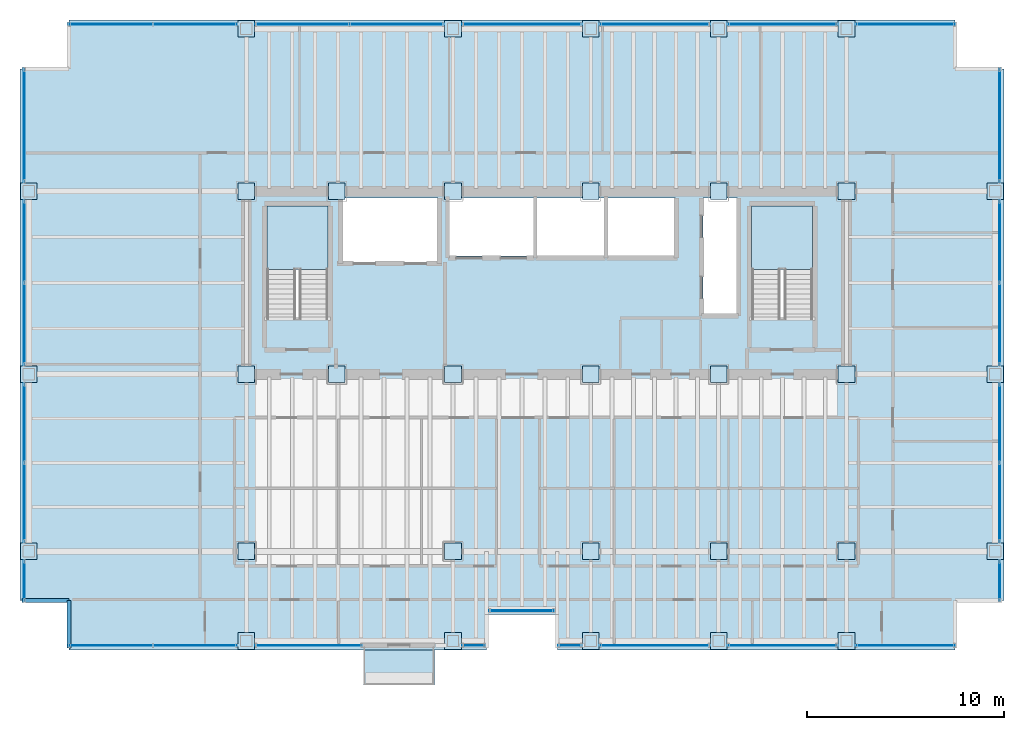
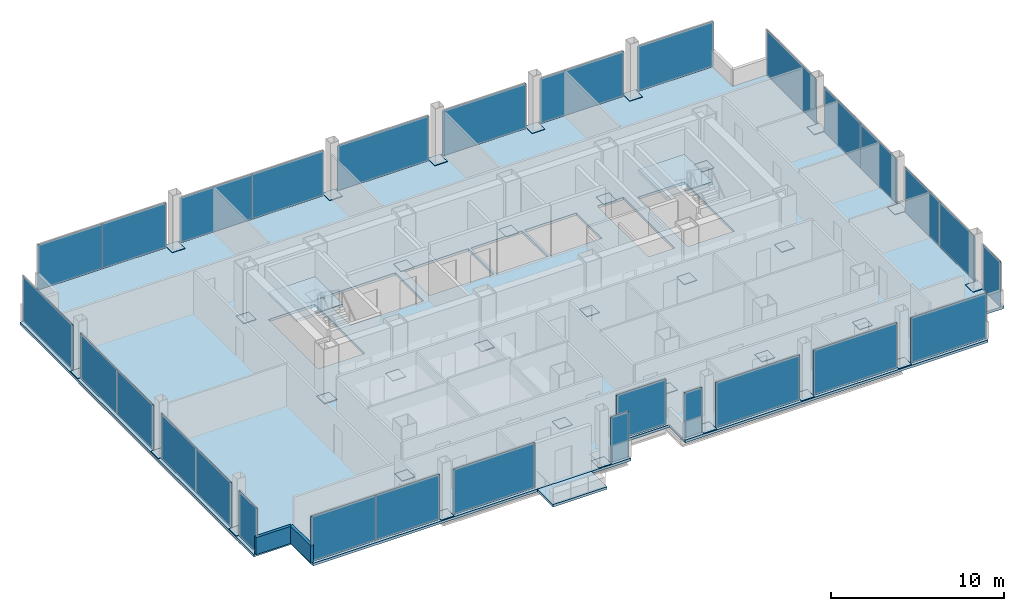
# One storey, part 17 of 21: 62 plates, 4 slabs, 2 walls, 7 openings, 24 elements without a shape of their own.
"""IFC4 building model written with IfcOpenShell, lengths in metres."""

from ifc_helpers import new_model, si_unit, direction, frame, frame_2d, origin, origin_2d, place, context, subcontext, project, spatial, polyline, rectangle, outline, extrude, material, layer, layer_set, type_object, element, aggregate, save


model = new_model("IFC4")

# Units and contexts
model_context = context("Model", 3, precision=1e-05, world=origin(), true_north=direction((0.0, 1.0)))
body_context = subcontext(model_context, "Body", "Model", "MODEL_VIEW")
ifc_project = project(units=[si_unit("LENGTHUNIT", "METRE"), si_unit("AREAUNIT", "SQUARE_METRE"), si_unit("VOLUMEUNIT", "CUBIC_METRE"), si_unit("PLANEANGLEUNIT", "RADIAN"), si_unit("MASSUNIT", "GRAM", prefix="KILO")], contexts=[model_context])

# Site, building, storey
site_placement = place(None, origin())
site = spatial("IfcSite", under=ifc_project, at=site_placement, CompositionType="ELEMENT")
building_placement = place(site_placement, origin())
building = spatial("IfcBuilding", under=site, at=building_placement, Name="Noeulbin Bourse Tower", CompositionType="ELEMENT")
storey_placement = place(building_placement, frame((0.0, 0.0, 46.0)))
storey = spatial("IfcBuildingStorey", under=building, at=storey_placement, Name="L11", CompositionType="ELEMENT", Elevation=46.0)

# Curtain wall, plate
ifc_material_1 = material(Name="Dark Solar-Control Double Glazing", Category="glass")
curtain_wall_type = type_object("IfcCurtainWallType", Name="CW-SYS-2", PredefinedType="NOTDEFINED", material=ifc_material_1)
curtain_wall_1_placement = place(storey_placement, origin())
curtain_wall_1 = element("IfcCurtainWall", 1, at=curtain_wall_1_placement, inside=storey, type_object=curtain_wall_type, Name="Unitised Curtain Wall CW-L11-SREC", PredefinedType="NOTDEFINED")
ifc_layer_1 = layer(ifc_material_1, 0.035888671875)
ifc_layer_set_1 = layer_set([ifc_layer_1], Name="Dark Solar-Control Double Glazing")
plate_type_1 = type_object("IfcPlateType", Name="CW-SYS-2-PNL", PredefinedType="CURTAIN_PANEL", material=ifc_layer_set_1)
plate_1_placement = place(storey_placement, frame((27.5, 16.97998046875, 0.0), z_axis=(0.0, 0.0, 1.0), x_axis=(1.0, 0.0, 0.0)))
plate_1 = element("IfcPlate", 2, at=plate_1_placement, type_object=plate_type_1, Name="Glazed Curtain Panel CW-L11-SREC-P00", PredefinedType="CURTAIN_PANEL", context=body_context, shape_type="SweptSolid", body=[
    extrude(rectangle(XDim=3.300048828125, YDim=0.035888671875, at=origin_2d()), origin(), (0.0, 0.0, 1.0), 3.179931640625),
])
aggregate(curtain_wall_1, [plate_1])

# Curtain wall, plates
curtain_wall_2_placement = place(storey_placement, origin())
curtain_wall_2 = element("IfcCurtainWall", 3, at=curtain_wall_2_placement, inside=storey, type_object=curtain_wall_type, Name="Unitised Curtain Wall CW-L11-S1-S1", PredefinedType="NOTDEFINED")
plate_2_placement = place(storey_placement, frame((6.6201171875, 15.219970703125, 0.0), z_axis=(0.0, 0.0, 1.0), x_axis=(1.0, 0.0, 0.0)))
plate_2 = element("IfcPlate", 4, at=plate_2_placement, type_object=plate_type_1, Name="Glazed Curtain Panel CW-L11-S1-S1-P00", PredefinedType="CURTAIN_PANEL", context=body_context, shape_type="SweptSolid", body=[
    extrude(rectangle(XDim=4.280029296875, YDim=0.035888671875, at=origin_2d()), origin(), (0.0, 0.0, 1.0), 3.179931640625),
])
plate_3_placement = place(storey_placement, frame((10.89990234375, 15.219970703125, 0.0), z_axis=(0.0, 0.0, 1.0), x_axis=(1.0, 0.0, 0.0)))
plate_3 = element("IfcPlate", 5, at=plate_3_placement, type_object=plate_type_1, Name="Glazed Curtain Panel CW-L11-S1-S1-P01", PredefinedType="CURTAIN_PANEL", context=body_context, shape_type="SweptSolid", body=[
    extrude(rectangle(XDim=4.280029296875, YDim=0.035888671875, at=origin_2d()), origin(), (0.0, 0.0, 1.0), 3.179931640625),
])
aggregate(curtain_wall_2, [plate_2, plate_3])

# Curtain wall, plate
curtain_wall_3_placement = place(storey_placement, origin())
curtain_wall_3 = element("IfcCurtainWall", 6, at=curtain_wall_3_placement, inside=storey, type_object=curtain_wall_type, Name="Unitised Curtain Wall CW-L11-S1-S2", PredefinedType="NOTDEFINED")
plate_4_placement = place(storey_placement, frame((16.679931640625, 15.219970703125, 0.0), z_axis=(0.0, 0.0, 1.0), x_axis=(1.0, 0.0, 0.0)))
plate_4 = element("IfcPlate", 7, at=plate_4_placement, type_object=plate_type_1, Name="Glazed Curtain Panel CW-L11-S1-S2-P00", PredefinedType="CURTAIN_PANEL", context=body_context, shape_type="SweptSolid", body=[
    extrude(rectangle(XDim=5.43994140625, YDim=0.035888671875, at=origin_2d()), origin(), (0.0, 0.0, 1.0), 3.179931640625),
])
aggregate(curtain_wall_3, [plate_4])

curtain_wall_4_placement = place(storey_placement, origin())
curtain_wall_4 = element("IfcCurtainWall", 8, at=curtain_wall_4_placement, inside=storey, type_object=curtain_wall_type, Name="Unitised Curtain Wall CW-L11-S2", PredefinedType="NOTDEFINED")
plate_5_placement = place(storey_placement, frame((25.054931640625, 15.219970703125, 0.0), z_axis=(0.0, 0.0, 1.0), x_axis=(1.0, 0.0, 0.0)))
plate_5 = element("IfcPlate", 9, at=plate_5_placement, type_object=plate_type_1, Name="Glazed Curtain Panel CW-L11-S2-P00", PredefinedType="CURTAIN_PANEL", context=body_context, shape_type="SweptSolid", body=[
    extrude(rectangle(XDim=1.18994140625, YDim=0.035888671875, at=origin_2d()), origin(), (0.0, 0.0, 1.0), 3.179931640625),
])
aggregate(curtain_wall_4, [plate_5])

curtain_wall_5_placement = place(storey_placement, origin())
curtain_wall_5 = element("IfcCurtainWall", 10, at=curtain_wall_5_placement, inside=storey, type_object=curtain_wall_type, Name="Unitised Curtain Wall CW-L11-S3-S1", PredefinedType="NOTDEFINED")
plate_6_placement = place(storey_placement, frame((29.945068359375, 15.219970703125, 0.0), z_axis=(0.0, 0.0, 1.0), x_axis=(1.0, 0.0, 0.0)))
plate_6 = element("IfcPlate", 11, at=plate_6_placement, type_object=plate_type_1, Name="Glazed Curtain Panel CW-L11-S3-S1-P00", PredefinedType="CURTAIN_PANEL", context=body_context, shape_type="SweptSolid", body=[
    extrude(rectangle(XDim=1.18994140625, YDim=0.035888671875, at=origin_2d()), origin(), (0.0, 0.0, 1.0), 3.179931640625),
])
aggregate(curtain_wall_5, [plate_6])

curtain_wall_6_placement = place(storey_placement, origin())
curtain_wall_6 = element("IfcCurtainWall", 12, at=curtain_wall_6_placement, inside=storey, type_object=curtain_wall_type, Name="Unitised Curtain Wall CW-L11-S3-S2", PredefinedType="NOTDEFINED")
plate_7_placement = place(storey_placement, frame((34.25, 15.219970703125, 0.0), z_axis=(0.0, 0.0, 1.0), x_axis=(1.0, 0.0, 0.0)))
plate_7 = element("IfcPlate", 13, at=plate_7_placement, type_object=plate_type_1, Name="Glazed Curtain Panel CW-L11-S3-S2-P00", PredefinedType="CURTAIN_PANEL", context=body_context, shape_type="SweptSolid", body=[
    extrude(rectangle(XDim=5.580078125, YDim=0.035888671875, at=origin_2d()), origin(), (0.0, 0.0, 1.0), 3.179931640625),
])
aggregate(curtain_wall_6, [plate_7])

curtain_wall_7_placement = place(storey_placement, origin())
curtain_wall_7 = element("IfcCurtainWall", 14, at=curtain_wall_7_placement, inside=storey, type_object=curtain_wall_type, Name="Unitised Curtain Wall CW-L11-S3-S3", PredefinedType="NOTDEFINED")
plate_8_placement = place(storey_placement, frame((40.75, 15.219970703125, 0.0), z_axis=(0.0, 0.0, 1.0), x_axis=(1.0, 0.0, 0.0)))
plate_8 = element("IfcPlate", 15, at=plate_8_placement, type_object=plate_type_1, Name="Glazed Curtain Panel CW-L11-S3-S3-P00", PredefinedType="CURTAIN_PANEL", context=body_context, shape_type="SweptSolid", body=[
    extrude(rectangle(XDim=5.580078125, YDim=0.035888671875, at=origin_2d()), origin(), (0.0, 0.0, 1.0), 3.179931640625),
])
aggregate(curtain_wall_7, [plate_8])

curtain_wall_8_placement = place(storey_placement, origin())
curtain_wall_8 = element("IfcCurtainWall", 16, at=curtain_wall_8_placement, inside=storey, type_object=curtain_wall_type, Name="Unitised Curtain Wall CW-L11-S3-S4", PredefinedType="NOTDEFINED")
plate_9_placement = place(storey_placement, frame((46.989990234375, 15.219970703125, 0.0), z_axis=(0.0, 0.0, 1.0), x_axis=(1.0, 0.0, 0.0)))
plate_9 = element("IfcPlate", 17, at=plate_9_placement, type_object=plate_type_1, Name="Glazed Curtain Panel CW-L11-S3-S4-P00", PredefinedType="CURTAIN_PANEL", context=body_context, shape_type="SweptSolid", body=[
    extrude(rectangle(XDim=5.06005859375, YDim=0.035888671875, at=origin_2d()), origin(), (0.0, 0.0, 1.0), 3.179931640625),
])
aggregate(curtain_wall_8, [plate_9])

# Curtain wall, plates
curtain_wall_9_placement = place(storey_placement, origin())
curtain_wall_9 = element("IfcCurtainWall", 18, at=curtain_wall_9_placement, inside=storey, type_object=curtain_wall_type, Name="Unitised Curtain Wall CW-L11-N-S1", PredefinedType="NOTDEFINED")
plate_10_placement = place(storey_placement, frame((6.6201171875, 46.780029296875, 0.0), z_axis=(0.0, 0.0, 1.0), x_axis=(1.0, 0.0, 0.0)))
plate_10 = element("IfcPlate", 19, at=plate_10_placement, type_object=plate_type_1, Name="Glazed Curtain Panel CW-L11-N-S1-P00", PredefinedType="CURTAIN_PANEL", context=body_context, shape_type="SweptSolid", body=[
    extrude(rectangle(XDim=4.280029296875, YDim=0.035888671875, at=origin_2d()), origin(), (0.0, 0.0, 1.0), 3.179931640625),
])
plate_11_placement = place(storey_placement, frame((10.89990234375, 46.780029296875, 0.0), z_axis=(0.0, 0.0, 1.0), x_axis=(1.0, 0.0, 0.0)))
plate_11 = element("IfcPlate", 20, at=plate_11_placement, type_object=plate_type_1, Name="Glazed Curtain Panel CW-L11-N-S1-P01", PredefinedType="CURTAIN_PANEL", context=body_context, shape_type="SweptSolid", body=[
    extrude(rectangle(XDim=4.280029296875, YDim=0.035888671875, at=origin_2d()), origin(), (0.0, 0.0, 1.0), 3.179931640625),
])
aggregate(curtain_wall_9, [plate_10, plate_11])

curtain_wall_10_placement = place(storey_placement, origin())
curtain_wall_10 = element("IfcCurtainWall", 21, at=curtain_wall_10_placement, inside=storey, type_object=curtain_wall_type, Name="Unitised Curtain Wall CW-L11-N-S2", PredefinedType="NOTDEFINED")
plate_12_placement = place(storey_placement, frame((16.35498046875, 46.780029296875, 0.0), z_axis=(0.0, 0.0, 1.0), x_axis=(1.0, 0.0, 0.0)))
plate_12 = element("IfcPlate", 22, at=plate_12_placement, type_object=plate_type_1, Name="Glazed Curtain Panel CW-L11-N-S2-P00", PredefinedType="CURTAIN_PANEL", context=body_context, shape_type="SweptSolid", body=[
    extrude(rectangle(XDim=4.7900390625, YDim=0.035888671875, at=origin_2d()), origin(), (0.0, 0.0, 1.0), 3.179931640625),
])
plate_13_placement = place(storey_placement, frame((21.14501953125, 46.780029296875, 0.0), z_axis=(0.0, 0.0, 1.0), x_axis=(1.0, 0.0, 0.0)))
plate_13 = element("IfcPlate", 23, at=plate_13_placement, type_object=plate_type_1, Name="Glazed Curtain Panel CW-L11-N-S2-P01", PredefinedType="CURTAIN_PANEL", context=body_context, shape_type="SweptSolid", body=[
    extrude(rectangle(XDim=4.7900390625, YDim=0.035888671875, at=origin_2d()), origin(), (0.0, 0.0, 1.0), 3.179931640625),
])
aggregate(curtain_wall_10, [plate_12, plate_13])

# Curtain wall, plate
curtain_wall_11_placement = place(storey_placement, origin())
curtain_wall_11 = element("IfcCurtainWall", 24, at=curtain_wall_11_placement, inside=storey, type_object=curtain_wall_type, Name="Unitised Curtain Wall CW-L11-N-S3", PredefinedType="NOTDEFINED")
plate_14_placement = place(storey_placement, frame((27.5, 46.780029296875, 0.0), z_axis=(0.0, 0.0, 1.0), x_axis=(1.0, 0.0, 0.0)))
plate_14 = element("IfcPlate", 25, at=plate_14_placement, type_object=plate_type_1, Name="Glazed Curtain Panel CW-L11-N-S3-P00", PredefinedType="CURTAIN_PANEL", context=body_context, shape_type="SweptSolid", body=[
    extrude(rectangle(XDim=6.080078125, YDim=0.035888671875, at=origin_2d()), origin(), (0.0, 0.0, 1.0), 3.179931640625),
])
aggregate(curtain_wall_11, [plate_14])

curtain_wall_12_placement = place(storey_placement, origin())
curtain_wall_12 = element("IfcCurtainWall", 26, at=curtain_wall_12_placement, inside=storey, type_object=curtain_wall_type, Name="Unitised Curtain Wall CW-L11-N-S4", PredefinedType="NOTDEFINED")
plate_15_placement = place(storey_placement, frame((34.25, 46.780029296875, 0.0), z_axis=(0.0, 0.0, 1.0), x_axis=(1.0, 0.0, 0.0)))
plate_15 = element("IfcPlate", 27, at=plate_15_placement, type_object=plate_type_1, Name="Glazed Curtain Panel CW-L11-N-S4-P00", PredefinedType="CURTAIN_PANEL", context=body_context, shape_type="SweptSolid", body=[
    extrude(rectangle(XDim=5.580078125, YDim=0.035888671875, at=origin_2d()), origin(), (0.0, 0.0, 1.0), 3.179931640625),
])
aggregate(curtain_wall_12, [plate_15])

curtain_wall_13_placement = place(storey_placement, origin())
curtain_wall_13 = element("IfcCurtainWall", 28, at=curtain_wall_13_placement, inside=storey, type_object=curtain_wall_type, Name="Unitised Curtain Wall CW-L11-N-S5", PredefinedType="NOTDEFINED")
plate_16_placement = place(storey_placement, frame((40.75, 46.780029296875, 0.0), z_axis=(0.0, 0.0, 1.0), x_axis=(1.0, 0.0, 0.0)))
plate_16 = element("IfcPlate", 29, at=plate_16_placement, type_object=plate_type_1, Name="Glazed Curtain Panel CW-L11-N-S5-P00", PredefinedType="CURTAIN_PANEL", context=body_context, shape_type="SweptSolid", body=[
    extrude(rectangle(XDim=5.580078125, YDim=0.035888671875, at=origin_2d()), origin(), (0.0, 0.0, 1.0), 3.179931640625),
])
aggregate(curtain_wall_13, [plate_16])

curtain_wall_14_placement = place(storey_placement, origin())
curtain_wall_14 = element("IfcCurtainWall", 30, at=curtain_wall_14_placement, inside=storey, type_object=curtain_wall_type, Name="Unitised Curtain Wall CW-L11-N-S6", PredefinedType="NOTDEFINED")
plate_17_placement = place(storey_placement, frame((46.989990234375, 46.780029296875, 0.0), z_axis=(0.0, 0.0, 1.0), x_axis=(1.0, 0.0, 0.0)))
plate_17 = element("IfcPlate", 31, at=plate_17_placement, type_object=plate_type_1, Name="Glazed Curtain Panel CW-L11-N-S6-P00", PredefinedType="CURTAIN_PANEL", context=body_context, shape_type="SweptSolid", body=[
    extrude(rectangle(XDim=5.06005859375, YDim=0.035888671875, at=origin_2d()), origin(), (0.0, 0.0, 1.0), 3.179931640625),
])
aggregate(curtain_wall_14, [plate_17])

curtain_wall_15_placement = place(storey_placement, origin())
curtain_wall_15 = element("IfcCurtainWall", 32, at=curtain_wall_15_placement, inside=storey, type_object=curtain_wall_type, Name="Unitised Curtain Wall CW-L11-W-S1", PredefinedType="NOTDEFINED")
plate_18_placement = place(storey_placement, frame((2.219970703125, 18.510009765625, 0.0), z_axis=(0.0, 0.0, 1.0), x_axis=(0.0, 1.0, 0.0)))
plate_18 = element("IfcPlate", 33, at=plate_18_placement, type_object=plate_type_1, Name="Glazed Curtain Panel CW-L11-W-S1-P00", PredefinedType="CURTAIN_PANEL", context=body_context, shape_type="SweptSolid", body=[
    extrude(rectangle(XDim=2.06005859375, YDim=0.035888671875, at=origin_2d()), origin(), (0.0, 0.0, 1.0), 3.179931640625),
])
aggregate(curtain_wall_15, [plate_18])

# Curtain wall, plates
curtain_wall_16_placement = place(storey_placement, origin())
curtain_wall_16 = element("IfcCurtainWall", 34, at=curtain_wall_16_placement, inside=storey, type_object=curtain_wall_type, Name="Unitised Curtain Wall CW-L11-W-S2", PredefinedType="NOTDEFINED")
plate_19_placement = place(storey_placement, frame((2.219970703125, 22.47998046875, 0.0), z_axis=(0.0, 0.0, 1.0), x_axis=(0.0, 1.0, 0.0)))
plate_19 = element("IfcPlate", 35, at=plate_19_placement, type_object=plate_type_1, Name="Glazed Curtain Panel CW-L11-W-S2-P00", PredefinedType="CURTAIN_PANEL", context=body_context, shape_type="SweptSolid", body=[
    extrude(rectangle(XDim=4.0400390625, YDim=0.035888671875, at=origin_2d()), origin(), (0.0, 0.0, 1.0), 3.179931640625),
])
plate_20_placement = place(storey_placement, frame((2.219970703125, 26.52001953125, 0.0), z_axis=(0.0, 0.0, 1.0), x_axis=(0.0, 1.0, 0.0)))
plate_20 = element("IfcPlate", 36, at=plate_20_placement, type_object=plate_type_1, Name="Glazed Curtain Panel CW-L11-W-S2-P01", PredefinedType="CURTAIN_PANEL", context=body_context, shape_type="SweptSolid", body=[
    extrude(rectangle(XDim=4.0400390625, YDim=0.035888671875, at=origin_2d()), origin(), (0.0, 0.0, 1.0), 3.179931640625),
])
aggregate(curtain_wall_16, [plate_19, plate_20])

curtain_wall_17_placement = place(storey_placement, origin())
curtain_wall_17 = element("IfcCurtainWall", 37, at=curtain_wall_17_placement, inside=storey, type_object=curtain_wall_type, Name="Unitised Curtain Wall CW-L11-W-S3", PredefinedType="NOTDEFINED")
plate_21_placement = place(storey_placement, frame((2.219970703125, 31.554931640625, 0.0), z_axis=(0.0, 0.0, 1.0), x_axis=(0.0, 1.0, 0.0)))
plate_21 = element("IfcPlate", 38, at=plate_21_placement, type_object=plate_type_1, Name="Glazed Curtain Panel CW-L11-W-S3-P00", PredefinedType="CURTAIN_PANEL", context=body_context, shape_type="SweptSolid", body=[
    extrude(rectangle(XDim=4.18994140625, YDim=0.035888671875, at=origin_2d()), origin(), (0.0, 0.0, 1.0), 3.179931640625),
])
plate_22_placement = place(storey_placement, frame((2.219970703125, 35.7451171875, 0.0), z_axis=(0.0, 0.0, 1.0), x_axis=(0.0, 1.0, 0.0)))
plate_22 = element("IfcPlate", 39, at=plate_22_placement, type_object=plate_type_1, Name="Glazed Curtain Panel CW-L11-W-S3-P01", PredefinedType="CURTAIN_PANEL", context=body_context, shape_type="SweptSolid", body=[
    extrude(rectangle(XDim=4.18994140625, YDim=0.035888671875, at=origin_2d()), origin(), (0.0, 0.0, 1.0), 3.179931640625),
])
aggregate(curtain_wall_17, [plate_21, plate_22])

# Curtain wall, plate
curtain_wall_18_placement = place(storey_placement, origin())
curtain_wall_18 = element("IfcCurtainWall", 40, at=curtain_wall_18_placement, inside=storey, type_object=curtain_wall_type, Name="Unitised Curtain Wall CW-L11-W-S4", PredefinedType="NOTDEFINED")
plate_23_placement = place(storey_placement, frame((2.219970703125, 41.639892578125, 0.0), z_axis=(0.0, 0.0, 1.0), x_axis=(0.0, 1.0, 0.0)))
plate_23 = element("IfcPlate", 41, at=plate_23_placement, type_object=plate_type_1, Name="Glazed Curtain Panel CW-L11-W-S4-P00", PredefinedType="CURTAIN_PANEL", context=body_context, shape_type="SweptSolid", body=[
    extrude(rectangle(XDim=5.760009765625, YDim=0.035888671875, at=origin_2d()), origin(), (0.0, 0.0, 1.0), 3.179931640625),
])
aggregate(curtain_wall_18, [plate_23])

curtain_wall_19_placement = place(storey_placement, origin())
curtain_wall_19 = element("IfcCurtainWall", 42, at=curtain_wall_19_placement, inside=storey, type_object=curtain_wall_type, Name="Unitised Curtain Wall CW-L11-E-S1", PredefinedType="NOTDEFINED")
plate_24_placement = place(storey_placement, frame((51.780029296875, 18.510009765625, 0.0), z_axis=(0.0, 0.0, 1.0), x_axis=(0.0, 1.0, 0.0)))
plate_24 = element("IfcPlate", 43, at=plate_24_placement, type_object=plate_type_1, Name="Glazed Curtain Panel CW-L11-E-S1-P00", PredefinedType="CURTAIN_PANEL", context=body_context, shape_type="SweptSolid", body=[
    extrude(rectangle(XDim=2.06005859375, YDim=0.035888671875, at=origin_2d()), origin(), (0.0, 0.0, 1.0), 3.179931640625),
])
aggregate(curtain_wall_19, [plate_24])

# Curtain wall, plates
curtain_wall_20_placement = place(storey_placement, origin())
curtain_wall_20 = element("IfcCurtainWall", 44, at=curtain_wall_20_placement, inside=storey, type_object=curtain_wall_type, Name="Unitised Curtain Wall CW-L11-E-S2", PredefinedType="NOTDEFINED")
plate_25_placement = place(storey_placement, frame((51.780029296875, 22.47998046875, 0.0), z_axis=(0.0, 0.0, 1.0), x_axis=(0.0, 1.0, 0.0)))
plate_25 = element("IfcPlate", 45, at=plate_25_placement, type_object=plate_type_1, Name="Glazed Curtain Panel CW-L11-E-S2-P00", PredefinedType="CURTAIN_PANEL", context=body_context, shape_type="SweptSolid", body=[
    extrude(rectangle(XDim=4.0400390625, YDim=0.035888671875, at=origin_2d()), origin(), (0.0, 0.0, 1.0), 3.179931640625),
])
plate_26_placement = place(storey_placement, frame((51.780029296875, 26.52001953125, 0.0), z_axis=(0.0, 0.0, 1.0), x_axis=(0.0, 1.0, 0.0)))
plate_26 = element("IfcPlate", 46, at=plate_26_placement, type_object=plate_type_1, Name="Glazed Curtain Panel CW-L11-E-S2-P01", PredefinedType="CURTAIN_PANEL", context=body_context, shape_type="SweptSolid", body=[
    extrude(rectangle(XDim=4.0400390625, YDim=0.035888671875, at=origin_2d()), origin(), (0.0, 0.0, 1.0), 3.179931640625),
])
aggregate(curtain_wall_20, [plate_25, plate_26])

curtain_wall_21_placement = place(storey_placement, origin())
curtain_wall_21 = element("IfcCurtainWall", 47, at=curtain_wall_21_placement, inside=storey, type_object=curtain_wall_type, Name="Unitised Curtain Wall CW-L11-E-S3", PredefinedType="NOTDEFINED")
plate_27_placement = place(storey_placement, frame((51.780029296875, 31.554931640625, 0.0), z_axis=(0.0, 0.0, 1.0), x_axis=(0.0, 1.0, 0.0)))
plate_27 = element("IfcPlate", 48, at=plate_27_placement, type_object=plate_type_1, Name="Glazed Curtain Panel CW-L11-E-S3-P00", PredefinedType="CURTAIN_PANEL", context=body_context, shape_type="SweptSolid", body=[
    extrude(rectangle(XDim=4.18994140625, YDim=0.035888671875, at=origin_2d()), origin(), (0.0, 0.0, 1.0), 3.179931640625),
])
plate_28_placement = place(storey_placement, frame((51.780029296875, 35.7451171875, 0.0), z_axis=(0.0, 0.0, 1.0), x_axis=(0.0, 1.0, 0.0)))
plate_28 = element("IfcPlate", 49, at=plate_28_placement, type_object=plate_type_1, Name="Glazed Curtain Panel CW-L11-E-S3-P01", PredefinedType="CURTAIN_PANEL", context=body_context, shape_type="SweptSolid", body=[
    extrude(rectangle(XDim=4.18994140625, YDim=0.035888671875, at=origin_2d()), origin(), (0.0, 0.0, 1.0), 3.179931640625),
])
aggregate(curtain_wall_21, [plate_27, plate_28])

# Curtain wall, plate
curtain_wall_22_placement = place(storey_placement, origin())
curtain_wall_22 = element("IfcCurtainWall", 50, at=curtain_wall_22_placement, inside=storey, type_object=curtain_wall_type, Name="Unitised Curtain Wall CW-L11-E-S4", PredefinedType="NOTDEFINED")
plate_29_placement = place(storey_placement, frame((51.780029296875, 41.639892578125, 0.0), z_axis=(0.0, 0.0, 1.0), x_axis=(0.0, 1.0, 0.0)))
plate_29 = element("IfcPlate", 51, at=plate_29_placement, type_object=plate_type_1, Name="Glazed Curtain Panel CW-L11-E-S4-P00", PredefinedType="CURTAIN_PANEL", context=body_context, shape_type="SweptSolid", body=[
    extrude(rectangle(XDim=5.760009765625, YDim=0.035888671875, at=origin_2d()), origin(), (0.0, 0.0, 1.0), 3.179931640625),
])
aggregate(curtain_wall_22, [plate_29])

# Plates
ifc_material_2 = material(Name="Steel S355", Category="steel")
ifc_layer_2 = layer(ifc_material_2, 0.030029296875)
ifc_layer_set_2 = layer_set([ifc_layer_2], Name="Steel S355")
plate_type_2 = type_object("IfcPlateType", Name="PLT-BN1", PredefinedType="USERDEFINED", material=ifc_layer_set_2)
for number, where, z_axis, x_axis, name in (
    (52, (13.5, 29.0, 0.0048828125), (0.0, 0.0, 1.0), (1.0, 0.0, 0.0), "Mega-Column Splice Plate BN1-L11-01"),
    (53, (13.5, 38.300048828125, 0.0048828125), (0.0, 0.0, 1.0), (1.0, 0.0, 0.0), "Mega-Column Splice Plate BN1-L11-02"),
    (54, (18.10009765625, 29.0, 0.0048828125), (0.0, 0.0, 1.0), (1.0, 0.0, 0.0), "Mega-Column Splice Plate BN1-L11-03"),
    (55, (18.10009765625, 38.300048828125, 0.0048828125), (0.0, 0.0, 1.0), (1.0, 0.0, 0.0), "Mega-Column Splice Plate BN1-L11-04"),
    (56, (24.0, 29.0, 0.0048828125), (0.0, 0.0, 1.0), (1.0, 0.0, 0.0), "Mega-Column Splice Plate BN1-L11-05"),
    (57, (24.0, 38.300048828125, 0.0048828125), (0.0, 0.0, 1.0), (1.0, 0.0, 0.0), "Mega-Column Splice Plate BN1-L11-06"),
    (58, (31.0, 29.0, 0.0048828125), (0.0, 0.0, 1.0), (1.0, 0.0, 0.0), "Mega-Column Splice Plate BN1-L11-07"),
    (59, (31.0, 38.300048828125, 0.0048828125), (0.0, 0.0, 1.0), (1.0, 0.0, 0.0), "Mega-Column Splice Plate BN1-L11-08"),
    (60, (37.5, 29.0, 0.0048828125), (0.0, 0.0, 1.0), (1.0, 0.0, 0.0), "Mega-Column Splice Plate BN1-L11-09"),
    (61, (37.5, 38.300048828125, 0.0048828125), (0.0, 0.0, 1.0), (1.0, 0.0, 0.0), "Mega-Column Splice Plate BN1-L11-10"),
    (62, (44.0, 29.0, 0.0048828125), (0.0, 0.0, 1.0), (1.0, 0.0, 0.0), "Mega-Column Splice Plate BN1-L11-11"),
    (63, (44.0, 38.300048828125, 0.0048828125), (0.0, 0.0, 1.0), (1.0, 0.0, 0.0), "Mega-Column Splice Plate BN1-L11-12"),
    (64, (13.5, 20.0, 0.0048828125), (0.0, 0.0, 1.0), (1.0, 0.0, 0.0), "Mega-Column Splice Plate BN1-L11-13"),
    (65, (24.0, 20.0, 0.0048828125), (0.0, 0.0, 1.0), (1.0, 0.0, 0.0), "Mega-Column Splice Plate BN1-L11-14"),
    (66, (31.0, 20.0, 0.0048828125), (0.0, 0.0, 1.0), (1.0, 0.0, 0.0), "Mega-Column Splice Plate BN1-L11-15"),
    (67, (37.5, 20.0, 0.0048828125), (0.0, 0.0, 1.0), (1.0, 0.0, 0.0), "Mega-Column Splice Plate BN1-L11-16"),
    (68, (44.0, 20.0, 0.0048828125), (0.0, 0.0, 1.0), (1.0, 0.0, 0.0), "Mega-Column Splice Plate BN1-L11-17"),
    (69, (2.449951171875, 20.0, 0.0048828125), (0.0, 0.0, 1.0), (1.0, 0.0, 0.0), "Perimeter Column Splice Plate BN1-L11-01"),
    (70, (2.449951171875, 29.0, 0.0048828125), (0.0, 0.0, 1.0), (1.0, 0.0, 0.0), "Perimeter Column Splice Plate BN1-L11-02"),
    (71, (2.449951171875, 38.300048828125, 0.0048828125), (0.0, 0.0, 1.0), (1.0, 0.0, 0.0), "Perimeter Column Splice Plate BN1-L11-03"),
    (72, (13.5, 15.449951171875, 0.0048828125), (0.0, 0.0, 1.0), (1.0, 0.0, 0.0), "Perimeter Column Splice Plate BN1-L11-04"),
    (73, (13.5, 46.550048828125, 0.0048828125), (0.0, 0.0, 1.0), (1.0, 0.0, 0.0), "Perimeter Column Splice Plate BN1-L11-05"),
    (74, (24.0, 15.449951171875, 0.0048828125), (0.0, 0.0, 1.0), (1.0, 0.0, 0.0), "Perimeter Column Splice Plate BN1-L11-06"),
    (75, (24.0, 46.550048828125, 0.0048828125), (0.0, 0.0, 1.0), (1.0, 0.0, 0.0), "Perimeter Column Splice Plate BN1-L11-07"),
    (76, (31.0, 15.449951171875, 0.0048828125), (0.0, 0.0, 1.0), (1.0, 0.0, 0.0), "Perimeter Column Splice Plate BN1-L11-08"),
    (77, (31.0, 46.550048828125, 0.0048828125), (0.0, 0.0, 1.0), (1.0, 0.0, 0.0), "Perimeter Column Splice Plate BN1-L11-09"),
    (78, (37.5, 15.449951171875, 0.0048828125), (0.0, 0.0, 1.0), (1.0, 0.0, 0.0), "Perimeter Column Splice Plate BN1-L11-10"),
    (79, (37.5, 46.550048828125, 0.0048828125), (0.0, 0.0, 1.0), (1.0, 0.0, 0.0), "Perimeter Column Splice Plate BN1-L11-11"),
    (80, (44.0, 15.449951171875, 0.0048828125), (0.0, 0.0, 1.0), (1.0, 0.0, 0.0), "Perimeter Column Splice Plate BN1-L11-12"),
    (81, (44.0, 46.550048828125, 0.0048828125), (0.0, 0.0, 1.0), (1.0, 0.0, 0.0), "Perimeter Column Splice Plate BN1-L11-13"),
    (82, (51.550048828125, 20.0, 0.0048828125), (0.0, 0.0, 1.0), (1.0, 0.0, 0.0), "Perimeter Column Splice Plate BN1-L11-14"),
    (83, (51.550048828125, 29.0, 0.0048828125), (0.0, 0.0, 1.0), (1.0, 0.0, 0.0), "Perimeter Column Splice Plate BN1-L11-15"),
    (84, (51.550048828125, 38.300048828125, 0.0048828125), (0.0, 0.0, 1.0), (1.0, 0.0, 0.0), "Perimeter Column Splice Plate BN1-L11-16"),
):
    element("IfcPlate", number, at=place(storey_placement, frame(where, z_axis=z_axis, x_axis=x_axis)), inside=storey, type_object=plate_type_2, Name=name, ObjectType="SPLICE PLATE", PredefinedType="USERDEFINED", context=body_context, shape_type="SweptSolid", body=[
        extrude(rectangle(XDim=0.85009765625, YDim=0.85009765625, at=origin_2d()), origin(), (0.0, 0.0, 1.0), 0.030029296875),
    ])

# Stair, slab
ifc_material_3 = material(Name="Concrete C40/50", Category="concrete")
stair_type = type_object("IfcStairType", Name="STR-CORE-1560", PredefinedType="HALF_TURN_STAIR", material=ifc_material_3)
stair_1_placement = place(storey_placement, origin())
stair_1 = element("IfcStair", 85, at=stair_1_placement, inside=storey, type_object=stair_type, Name="L11 ST-1", PredefinedType="HALF_TURN_STAIR")
ifc_layer_3 = layer(ifc_material_3, 0.199951171875)
ifc_layer_set_3 = layer_set([ifc_layer_3], Name="Concrete C40/50")
slab_type_1 = type_object("IfcSlabType", Name="SLB-LND-200", PredefinedType="LANDING", material=ifc_layer_set_3)
slab_1_placement = place(storey_placement, frame((0.0, 0.0, 1.75)))
slab_1 = element("IfcSlab", 86, at=slab_1_placement, type_object=slab_type_1, Name="ST-1 landing 1", PredefinedType="LANDING", context=body_context, shape_type="SweptSolid", body=[
    extrude(outline(polyline([(17.64990234375, 34.330078125), (17.64990234375, 37.5439453125), (14.550048828125, 37.5439453125), (14.550048828125, 34.330078125), (17.64990234375, 34.330078125)])), origin(), (0.0, 0.0, 1.0), 0.199951171875),
])
aggregate(stair_1, [slab_1])

stair_2_placement = place(storey_placement, origin())
stair_2 = element("IfcStair", 87, at=stair_2_placement, inside=storey, type_object=stair_type, Name="L11 ST-2", PredefinedType="HALF_TURN_STAIR")
slab_2_placement = place(storey_placement, frame((0.0, 0.0, 1.75)))
slab_2 = element("IfcSlab", 88, at=slab_2_placement, type_object=slab_type_1, Name="ST-2 landing 1", PredefinedType="LANDING", context=body_context, shape_type="SweptSolid", body=[
    extrude(outline(polyline([(42.280029296875, 34.330078125), (42.280029296875, 37.5439453125), (39.179931640625, 37.5439453125), (39.179931640625, 34.330078125), (42.280029296875, 34.330078125)])), origin(), (0.0, 0.0, 1.0), 0.199951171875),
])
aggregate(stair_2, [slab_2])

# Slab, openings
ifc_layer_4 = layer(ifc_material_3, 0.179931640625)
ifc_layer_set_4 = layer_set([ifc_layer_4], Name="Concrete C40/50")
slab_type_2 = type_object("IfcSlabType", Name="SLB-TYP-180", PredefinedType="FLOOR", material=ifc_layer_set_4)
slab_3_placement = place(storey_placement, frame((0.0, 0.0, -0.179931640625)))
slab_3 = element("IfcSlab", 89, at=slab_3_placement, inside=storey, type_object=slab_type_2, Name="Tower Structural Floor Slab L11", PredefinedType="FLOOR", context=body_context, shape_type="SweptSolid", body=[
    extrude(outline(polyline([(4.5, 15.0), (25.699951171875, 15.0), (25.699951171875, 16.800048828125), (29.300048828125, 16.800048828125), (29.300048828125, 15.0), (49.5, 15.0), (49.5, 17.5), (52.0, 17.5), (52.0, 44.5), (49.5, 44.5), (49.5, 47.0), (4.5, 47.0), (4.5, 44.5), (2.0, 44.5), (2.0, 17.5), (4.5, 17.5), (4.5, 15.0)]), holes=[polyline([(17.64990234375, 31.81005859375), (17.64990234375, 37.5439453125), (14.550048828125, 37.5439453125), (14.550048828125, 31.81005859375), (17.64990234375, 31.81005859375)]), polyline([(42.280029296875, 31.81005859375), (42.280029296875, 37.5439453125), (39.179931640625, 37.5439453125), (39.179931640625, 31.81005859375), (42.280029296875, 31.81005859375)]), polyline([(18.35009765625, 34.699951171875), (23.25, 34.699951171875), (23.25, 37.949951171875), (18.35009765625, 37.949951171875), (18.35009765625, 34.699951171875)]), polyline([(36.699951171875, 32.050048828125), (38.449951171875, 32.050048828125), (38.449951171875, 37.949951171875), (36.699951171875, 37.949951171875), (36.699951171875, 32.050048828125)]), polyline([(23.800048828125, 35.0), (28.10009765625, 35.0), (28.10009765625, 37.949951171875), (23.800048828125, 37.949951171875), (23.800048828125, 35.0)]), polyline([(28.25, 35.0), (31.699951171875, 35.0), (31.699951171875, 37.949951171875), (28.25, 37.949951171875), (28.25, 35.0)]), polyline([(31.85009765625, 35.0), (35.300048828125, 35.0), (35.300048828125, 37.949951171875), (31.85009765625, 37.949951171875), (31.85009765625, 35.0)])]), origin(), (0.0, 0.0, 1.0), 0.179931640625),
])
opening_1_placement = place(slab_3_placement, frame((0.0, 0.0, -0.010009765625)))
element("IfcOpeningElement", 90, at=opening_1_placement, cuts=slab_3, Name="Slab Shaft Opening SLB-L11-TWR-1", PredefinedType="OPENING", context=body_context, shape_type="SweptSolid", body=[
    extrude(outline(polyline([(17.64990234375, 31.81005859375), (17.64990234375, 37.5439453125), (14.550048828125, 37.5439453125), (14.550048828125, 31.81005859375), (17.64990234375, 31.81005859375)])), origin(), (0.0, 0.0, 1.0), 0.199951171875),
])
opening_2_placement = place(slab_3_placement, frame((0.0, 0.0, -0.010009765625)))
element("IfcOpeningElement", 91, at=opening_2_placement, cuts=slab_3, Name="Slab Shaft Opening SLB-L11-TWR-2", PredefinedType="OPENING", context=body_context, shape_type="SweptSolid", body=[
    extrude(outline(polyline([(42.280029296875, 31.81005859375), (42.280029296875, 37.5439453125), (39.179931640625, 37.5439453125), (39.179931640625, 31.81005859375), (42.280029296875, 31.81005859375)])), origin(), (0.0, 0.0, 1.0), 0.199951171875),
])
opening_3_placement = place(slab_3_placement, frame((0.0, 0.0, -0.010009765625)))
element("IfcOpeningElement", 92, at=opening_3_placement, cuts=slab_3, Name="Slab Shaft Opening SLB-L11-TWR-3", PredefinedType="OPENING", context=body_context, shape_type="SweptSolid", body=[
    extrude(outline(polyline([(18.35009765625, 34.699951171875), (23.25, 34.699951171875), (23.25, 37.949951171875), (18.35009765625, 37.949951171875), (18.35009765625, 34.699951171875)])), origin(), (0.0, 0.0, 1.0), 0.199951171875),
])
opening_4_placement = place(slab_3_placement, frame((0.0, 0.0, -0.010009765625)))
element("IfcOpeningElement", 93, at=opening_4_placement, cuts=slab_3, Name="Slab Shaft Opening SLB-L11-TWR-4", PredefinedType="OPENING", context=body_context, shape_type="SweptSolid", body=[
    extrude(outline(polyline([(36.699951171875, 32.050048828125), (38.449951171875, 32.050048828125), (38.449951171875, 37.949951171875), (36.699951171875, 37.949951171875), (36.699951171875, 32.050048828125)])), origin(), (0.0, 0.0, 1.0), 0.199951171875),
])
opening_5_placement = place(slab_3_placement, frame((0.0, 0.0, -0.010009765625)))
element("IfcOpeningElement", 94, at=opening_5_placement, cuts=slab_3, Name="Slab Shaft Opening SLB-L11-TWR-5", PredefinedType="OPENING", context=body_context, shape_type="SweptSolid", body=[
    extrude(outline(polyline([(23.800048828125, 35.0), (28.10009765625, 35.0), (28.10009765625, 37.949951171875), (23.800048828125, 37.949951171875), (23.800048828125, 35.0)])), origin(), (0.0, 0.0, 1.0), 0.199951171875),
])
opening_6_placement = place(slab_3_placement, frame((0.0, 0.0, -0.010009765625)))
element("IfcOpeningElement", 95, at=opening_6_placement, cuts=slab_3, Name="Slab Shaft Opening SLB-L11-TWR-6", PredefinedType="OPENING", context=body_context, shape_type="SweptSolid", body=[
    extrude(outline(polyline([(28.25, 35.0), (31.699951171875, 35.0), (31.699951171875, 37.949951171875), (28.25, 37.949951171875), (28.25, 35.0)])), origin(), (0.0, 0.0, 1.0), 0.199951171875),
])
opening_7_placement = place(slab_3_placement, frame((0.0, 0.0, -0.010009765625)))
element("IfcOpeningElement", 96, at=opening_7_placement, cuts=slab_3, Name="Slab Shaft Opening SLB-L11-TWR-7", PredefinedType="OPENING", context=body_context, shape_type="SweptSolid", body=[
    extrude(outline(polyline([(31.85009765625, 35.0), (35.300048828125, 35.0), (35.300048828125, 37.949951171875), (31.85009765625, 37.949951171875), (31.85009765625, 35.0)])), origin(), (0.0, 0.0, 1.0), 0.199951171875),
])

# Slab
slab_4_placement = place(storey_placement, frame((0.0, 0.0, -0.179931640625)))
element("IfcSlab", 97, at=slab_4_placement, inside=storey, type_object=slab_type_2, Name="Cantilevered Tree-Balcony Slab L11", PredefinedType="FLOOR", context=body_context, shape_type="SweptSolid", body=[
    extrude(outline(polyline([(19.449951171875, 13.199951171875), (23.050048828125, 13.199951171875), (23.050048828125, 15.0), (19.449951171875, 15.0), (19.449951171875, 13.199951171875)])), origin(), (0.0, 0.0, 1.0), 0.179931640625),
])

# Walls
ifc_layer_5 = layer(ifc_material_3, 0.199951171875)
ifc_layer_set_5 = layer_set([ifc_layer_5], Name="Concrete C40/50")
wall_type = type_object("IfcWallType", Name="WAL-PAR-200", PredefinedType="PARAPET", material=ifc_layer_set_5)
for number, where, z_axis, x_axis, name in (
    (98, (2.10009765625, 17.5, 0.0), (0.0, 0.0, 1.0), (1.0, 0.0, 0.0), "Corner Notch Parapet L11-SW1"),
    (99, (4.5, 17.5, 0.0), (0.0, 0.0, 1.0), (0.0, -1.0, 0.0), "Corner Notch Parapet L11-SW2"),
):
    element("IfcWall", number, at=place(storey_placement, frame(where, z_axis=z_axis, x_axis=x_axis)), inside=storey, type_object=wall_type, Name=name, PredefinedType="PARAPET", context=body_context, shape_type="SweptSolid", body=[
        extrude(rectangle(XDim=2.39990234375, YDim=0.199951171875, at=frame_2d((1.199951171875, 0.0))), origin(), (0.0, 0.0, 1.0), 1.199951171875),
    ])

save(model, "model.ifc")
